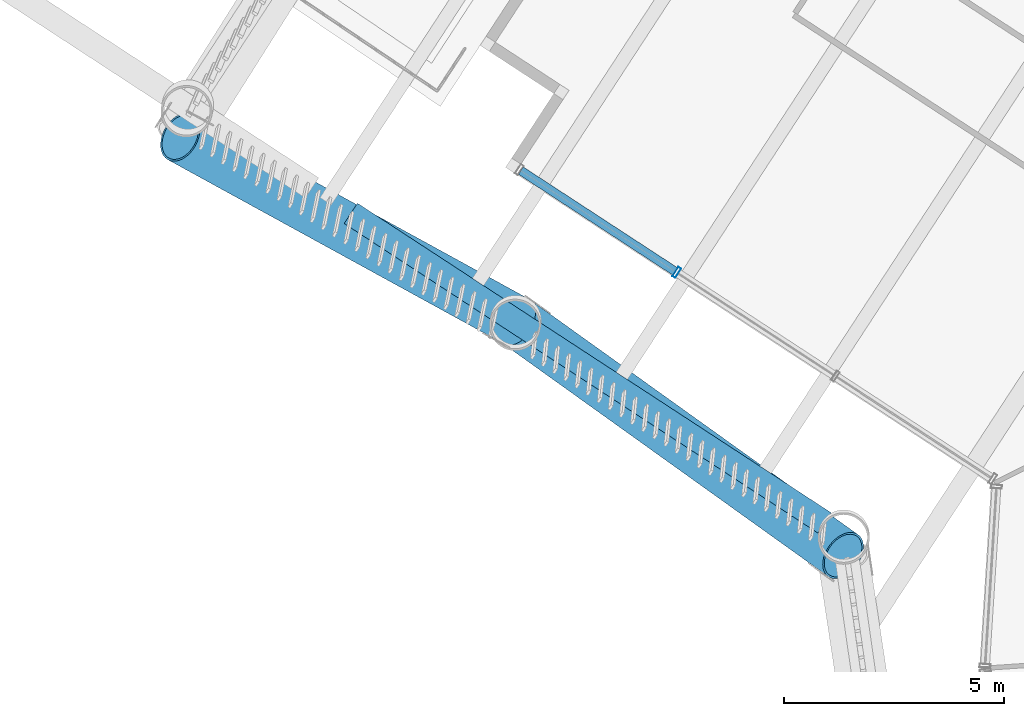
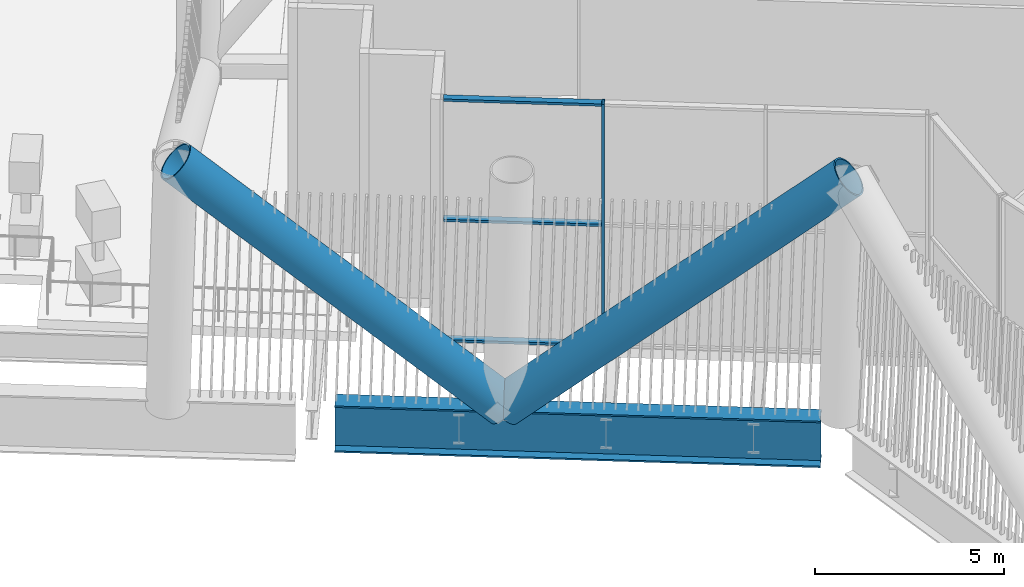
# One storey, part 12 of 63: 6 members, 1 beam, 1 element without a shape of its own.
"""IFC4 building model written with IfcOpenShell, lengths in metres."""

from ifc_helpers import new_model, si_unit, direction, frame, origin, origin_2d, place, context, subcontext, project, spatial, hollow_rectangle, hollow_circle, i_section, extrude, material, layer, layer_set, material_profile, profile_set, type_object, element, aggregate, save


model = new_model("IFC4")

# Units and contexts
model_context = context("Model", 3, precision=1e-05, world=origin(), true_north=direction((0.0, 1.0)))
body_context = subcontext(model_context, "Body", "Model", "MODEL_VIEW")
ifc_project = project(units=[si_unit("LENGTHUNIT", "METRE"), si_unit("AREAUNIT", "SQUARE_METRE"), si_unit("VOLUMEUNIT", "CUBIC_METRE"), si_unit("PLANEANGLEUNIT", "RADIAN"), si_unit("MASSUNIT", "GRAM", prefix="KILO")], contexts=[model_context])

# Site, building, storey
site_placement = place(None, origin())
site = spatial("IfcSite", under=ifc_project, at=site_placement, CompositionType="ELEMENT")
building_placement = place(site_placement, origin())
building = spatial("IfcBuilding", under=site, at=building_placement, Name="Tarsis Ring Headquarters", CompositionType="ELEMENT")
storey_placement = place(building_placement, frame((0.0, 0.0, 139.60009765625)))
storey = spatial("IfcBuildingStorey", under=building, at=storey_placement, Name="L32", CompositionType="ELEMENT", Elevation=139.60009765625)

# Curtain wall, members
ifc_material_1 = material(Name="Aluminium curtain wall", Category="aluminium")
ifc_layer = layer(ifc_material_1, 0.25)
ifc_layer_set = layer_set([ifc_layer], Name="Curtain wall sky lobby")
curtain_wall_type = type_object("IfcCurtainWallType", Name="Curtain wall sky lobby", PredefinedType="NOTDEFINED", material=ifc_layer_set)
curtain_wall_placement = place(storey_placement, origin())
curtain_wall = element("IfcCurtainWall", 1, at=curtain_wall_placement, inside=storey, type_object=curtain_wall_type, Name="Curtain wall L32-01", PredefinedType="NOTDEFINED")
ifc_material_2 = material(Name="Aluminium mullion", Category="aluminium")
ifc_material_profile_1 = material_profile(ifc_material_2, hollow_rectangle(XDim=0.25, YDim=0.080078125, WallThickness=0.0048828125, at=origin_2d()), Name="RHS 250x80x5")
ifc_profile_set_1 = profile_set([ifc_material_profile_1], Name="Aluminium mullion")
member_type_1 = type_object("IfcMemberType", Name="Curtain wall mullion sky lobby RHS 250x80x5", PredefinedType="MULLION", material=ifc_profile_set_1)
member_1_placement = place(storey_placement, frame((-32.8173828125, 7.25732421875, 0.0), z_axis=(0.0, 0.0, 1.0), x_axis=(0.546978993115, 0.837146331946, 0.0)))
member_1 = element("IfcMember", 2, at=member_1_placement, type_object=member_type_1, Name="CW-S mullion 2", PredefinedType="MULLION", context=body_context, shape_type="SweptSolid", body=[
    extrude(hollow_rectangle(XDim=0.25, YDim=0.080078125, WallThickness=0.0048828125, at=origin_2d()), origin(), (0.0, 0.0, 1.0), 7.83984375),
])
ifc_material_3 = material(Name="Aluminium transom", Category="aluminium")
ifc_material_profile_2 = material_profile(ifc_material_3, hollow_rectangle(XDim=0.199951171875, YDim=0.080078125, WallThickness=0.0048828125, at=origin_2d()), Name="RHS 200x80x5")
ifc_profile_set_2 = profile_set([ifc_material_profile_2], Name="Aluminium transom")
member_type_2 = type_object("IfcMemberType", Name="Curtain wall transom sky lobby RHS 200x80x5", PredefinedType="USERDEFINED", material=ifc_profile_set_2)
member_2_placement = place(storey_placement, frame((-36.3564453125, 9.569580078125, 0.039794921875), z_axis=(0.837154452943, -0.546966563802, 0.0), x_axis=(0.546966563802, 0.837154452943, 0.0)))
member_2 = element("IfcMember", 3, at=member_2_placement, type_object=member_type_2, Name="CW-S transom 1.1", ObjectType="TRANSOM", PredefinedType="USERDEFINED", context=body_context, shape_type="SweptSolid", body=[
    extrude(hollow_rectangle(XDim=0.199951171875, YDim=0.080078125, WallThickness=0.0048828125, at=origin_2d()), origin(), (0.0, 0.0, 1.0), 4.187255859375),
])
member_3_placement = place(storey_placement, frame((-36.3564453125, 9.569580078125, 3.919921875), z_axis=(0.837154452943, -0.546966563802, 0.0), x_axis=(0.546966563802, 0.837154452943, 0.0)))
member_3 = element("IfcMember", 4, at=member_3_placement, type_object=member_type_2, Name="CW-S transom 1.2", ObjectType="TRANSOM", PredefinedType="USERDEFINED", context=body_context, shape_type="SweptSolid", body=[
    extrude(hollow_rectangle(XDim=0.199951171875, YDim=0.080078125, WallThickness=0.0048828125, at=origin_2d()), origin(), (0.0, 0.0, 1.0), 4.187255859375),
])
member_4_placement = place(storey_placement, frame((-36.3564453125, 9.569580078125, 7.7998046875), z_axis=(0.837154452943, -0.546966563802, 0.0), x_axis=(0.546966563802, 0.837154452943, 0.0)))
member_4 = element("IfcMember", 5, at=member_4_placement, type_object=member_type_2, Name="CW-S transom 1.3", ObjectType="TRANSOM", PredefinedType="USERDEFINED", context=body_context, shape_type="SweptSolid", body=[
    extrude(hollow_rectangle(XDim=0.199951171875, YDim=0.080078125, WallThickness=0.0048828125, at=origin_2d()), origin(), (0.0, 0.0, 1.0), 4.187255859375),
])
aggregate(curtain_wall, [member_1, member_2, member_3, member_4])

# Members
ifc_material_4 = material(Name="Structural steel S355", Category="steel")
ifc_material_profile_3 = material_profile(ifc_material_4, hollow_circle(Radius=0.584228515625, WallThickness=0.044921875, at=origin_2d()), Name="CHS 1168x45")
ifc_profile_set_3 = profile_set([ifc_material_profile_3], Name="Structural steel S355")
member_type_3 = type_object("IfcMemberType", Name="TD Belt truss diagonal CHS 1168x45", PredefinedType="BRACE", material=ifc_profile_set_3)
member_5_placement = place(storey_placement, frame((-36.47265625, 6.151611328125, 0.0), z_axis=(-0.645120415095, 0.353708370612, 0.677281358511), x_axis=(-0.480762241327, -0.876850994933, 0.0)))
element("IfcMember", 6, at=member_5_placement, inside=storey, type_object=member_type_3, Name="Belt truss diagonal TD3", PredefinedType="BRACE", context=body_context, shape_type="SweptSolid", body=[
    extrude(hollow_circle(Radius=0.584228515625, WallThickness=0.044921875, at=origin_2d()), origin(), (0.0, 0.0, 1.0), 11.81201171875),
])
member_6_placement = place(storey_placement, frame((-36.47265625, 6.151611328125, 0.0), z_axis=(0.611939584817, -0.438265034758, 0.658372010221), x_axis=(0.582262902894, 0.813000560832, 0.0)))
element("IfcMember", 7, at=member_6_placement, inside=storey, type_object=member_type_3, Name="Belt truss diagonal TD3", PredefinedType="BRACE", context=body_context, shape_type="SweptSolid", body=[
    extrude(hollow_circle(Radius=0.584228515625, WallThickness=0.044921875, at=origin_2d()), origin(), (0.0, 0.0, 1.0), 12.151123046875),
])

# Beam
ifc_material_profile_4 = material_profile(ifc_material_4, i_section(OverallWidth=0.550048828125, OverallDepth=1.5, WebThickness=0.030029296875, FlangeThickness=0.050048828125, at=origin_2d()), Name="PG 1500x550x30x50")
ifc_profile_set_4 = profile_set([ifc_material_profile_4], Name="Structural steel S355")
beam_type = type_object("IfcBeamType", Name="XG Ring girder PG 1500x550x30x50", PredefinedType="BEAM", material=ifc_profile_set_4)
beam_placement = place(storey_placement, frame((-40.21826171875, 8.598876953125, -0.75), z_axis=(0.837144277598, -0.546982137263, 0.0), x_axis=(0.546982137263, 0.837144277598, 0.0)))
element("IfcBeam", 8, at=beam_placement, inside=storey, type_object=beam_type, Name="Ring girder XG6", PredefinedType="BEAM", context=body_context, shape_type="SweptSolid", body=[
    extrude(i_section(OverallWidth=0.550048828125, OverallDepth=1.5, WebThickness=0.030029296875, FlangeThickness=0.050048828125, at=origin_2d()), origin(), (0.0, 0.0, 1.0), 12.8505859375),
])

save(model, "model.ifc")
